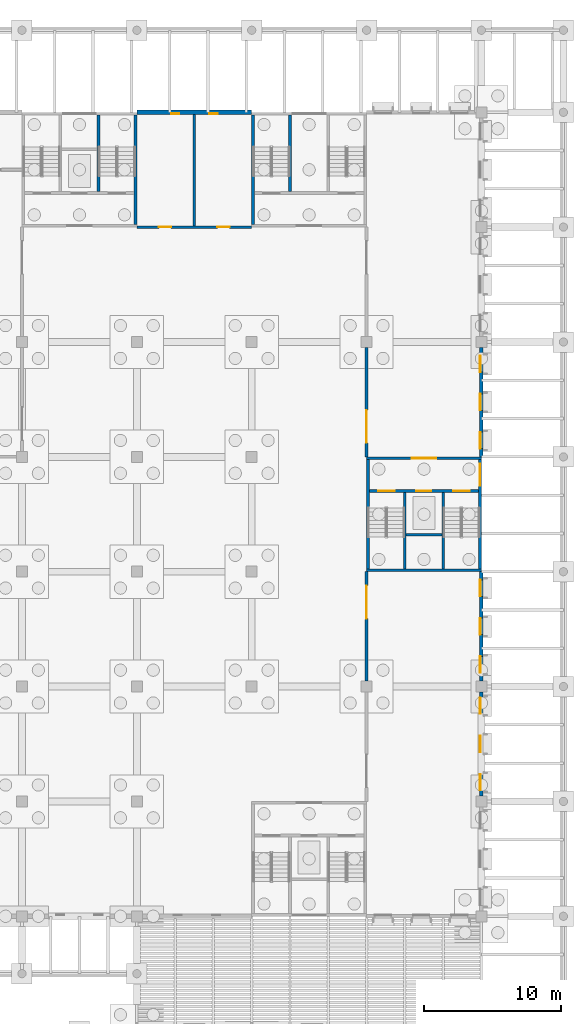
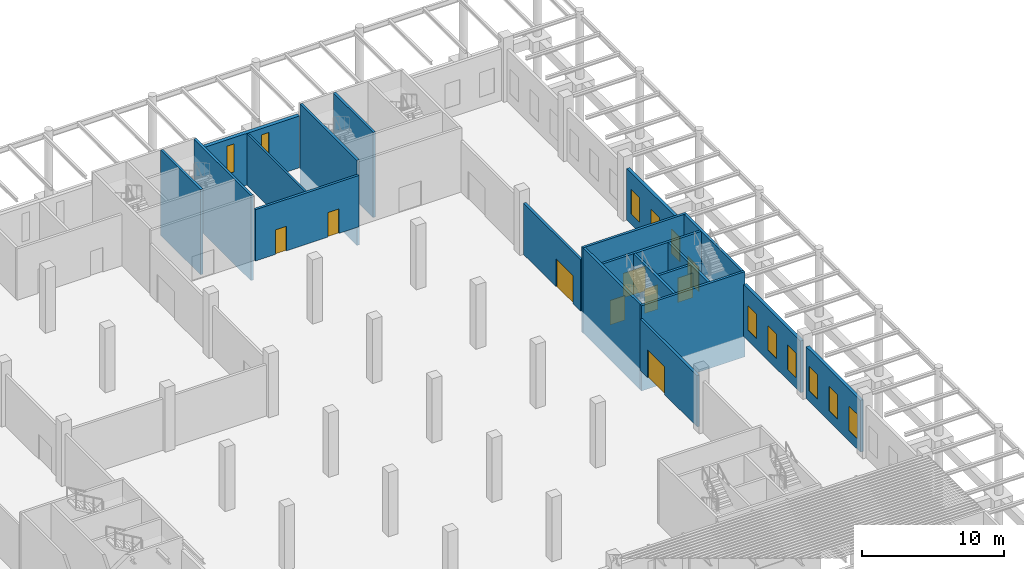
# One storey, part 42 of 82: 20 walls, 11 windows, 9 doors, 20 openings.
"""IFC4 building model written with IfcOpenShell, lengths in metres."""

import ifcopenshell
import ifcopenshell.guid

model = None  # the IFC model being written
_history = None  # IfcOwnerHistory: only IFC2X3 demands one
_inside = {}  # id of a spatial element -> (the spatial element, [elements in it])
_under = {}  # id of a project, library or spatial element -> (it, [spatial elements below it])
_declared = {}  # id of a project -> (the project, [libraries it declares])
_typed = {}  # id of a type object -> (the type object, [elements of that type])
_made_of = {}  # id of a material, layer set ... -> (it, [elements and type objects made of it])


def new_model(schema):
    """Start an empty IFC model of exactly this schema.

    Asked for "IFC4X3", IfcOpenShell would pick the latest addendum, in which some entities
    have other attributes; the version numbers below select the first issue.
    IFC2X3 requires an IfcOwnerHistory on every rooted entity: one is made here for all.
    """
    global model, _history
    if schema == "IFC4X3":
        model = ifcopenshell.file(schema_version=(4, 3, 0, 0))
    else:
        model = ifcopenshell.file(schema=schema)
    _inside.clear()
    _under.clear()
    _declared.clear()
    _typed.clear()
    _made_of.clear()
    _history = None
    if model.schema == "IFC2X3":
        org = make("IfcOrganization", Name="unknown")
        user = make(
            "IfcPersonAndOrganization",
            ThePerson=make("IfcPerson", FamilyName="unknown"),
            TheOrganization=org,
        )
        app = make(
            "IfcApplication",
            ApplicationDeveloper=org,
            Version="unknown",
            ApplicationFullName="unknown",
            ApplicationIdentifier="unknown",
        )
        _history = make(
            "IfcOwnerHistory",
            OwningUser=user,
            OwningApplication=app,
            ChangeAction="ADDED",
            CreationDate=0,
        )
    return model


def make(cls, **values):
    """One entity of the class cls with the attributes given. An attribute that is None is left unset."""
    return model.create_entity(
        cls, **{name: value for name, value in values.items() if value is not None}
    )


def rooted(cls, **values):
    """An entity with a GlobalId (a new one), such as an element, a storey or a relation."""
    return make(cls, GlobalId=ifcopenshell.guid.new(), OwnerHistory=_history, **values)


def si_unit(unit_type, name, prefix=None):
    """IfcSIUnit, for example si_unit("LENGTHUNIT", "METRE", prefix="MILLI")."""
    return make("IfcSIUnit", UnitType=unit_type, Prefix=prefix, Name=name)


def assignment(units):
    """IfcUnitAssignment: the units of a project."""
    return None if units is None else make("IfcUnitAssignment", Units=units)


def point(xyz):
    """IfcCartesianPoint."""
    return None if xyz is None else make("IfcCartesianPoint", Coordinates=xyz)


def direction(xyz):
    """IfcDirection."""
    return None if xyz is None else make("IfcDirection", DirectionRatios=xyz)


def frame(location, z_axis=None, x_axis=None):
    """IfcAxis2Placement3D, a coordinate frame: its origin and axes. An axis left out is left unset."""
    return make(
        "IfcAxis2Placement3D",
        Location=point(location),
        Axis=direction(z_axis),
        RefDirection=direction(x_axis),
    )


def frame_2d(location, x_axis=None):
    """IfcAxis2Placement2D, a coordinate frame in the plane: its origin and x axis."""
    return make(
        "IfcAxis2Placement2D", Location=point(location), RefDirection=direction(x_axis)
    )


def origin():
    """The frame at (0, 0, 0) with its axes left unset."""
    return frame((0.0, 0.0, 0.0))


def place(relative_to, where):
    """IfcLocalPlacement: puts the frame where relative to a parent placement (None: the world)."""
    return make(
        "IfcLocalPlacement", PlacementRelTo=relative_to, RelativePlacement=where
    )


def context(
    kind, dimensions, precision=None, world=None, true_north=None, identifier=None
):
    """IfcGeometricRepresentationContext, for example the 3D "Model" context."""
    return make(
        "IfcGeometricRepresentationContext",
        ContextIdentifier=identifier,
        ContextType=kind,
        CoordinateSpaceDimension=dimensions,
        Precision=precision,
        WorldCoordinateSystem=world,
        TrueNorth=true_north,
    )


def subcontext(parent, identifier, kind, view, scale=None):
    """IfcGeometricRepresentationSubContext, for example "Body" below "Model"."""
    return make(
        "IfcGeometricRepresentationSubContext",
        ContextIdentifier=identifier,
        ContextType=kind,
        ParentContext=parent,
        TargetScale=scale,
        TargetView=view,
    )


def project(units=None, contexts=None):
    """IfcProject with its units and contexts."""
    return rooted(
        "IfcProject",
        Name="project",
        RepresentationContexts=contexts,
        UnitsInContext=assignment(units),
    )


def spatial(cls, under=None, at=None, **own):
    """A site, building, storey or space (cls), placed at a placement, below another one or the project."""
    s = rooted(cls, ObjectPlacement=at, **own)
    if under is not None:
        _under.setdefault(under.id(), (under, []))[1].append(s)
    return s


def profile(cls, at=None, kind="AREA", **sizes):
    """A parametric profile (cls). Its sizes go by their IFC names, for example OverallWidth=200.0."""
    return make(cls, ProfileType=kind, Position=at, **sizes)


def rectangle(**sizes):
    """IfcRectangleProfileDef."""
    return profile("IfcRectangleProfileDef", **sizes)


def extrude(swept, where, along, depth):
    """IfcExtrudedAreaSolid: the profile swept, set in the frame where, extruded along a direction by depth."""
    return make(
        "IfcExtrudedAreaSolid",
        SweptArea=swept,
        Position=where,
        ExtrudedDirection=direction(along),
        Depth=depth,
    )


def shape(context_of_items, identifier, shape_type, items):
    """IfcShapeRepresentation: the items that make up one representation, for example the "Body"."""
    return make(
        "IfcShapeRepresentation",
        ContextOfItems=context_of_items,
        RepresentationIdentifier=identifier,
        RepresentationType=shape_type,
        Items=items,
    )


def material(Name=None, Category=None):
    """IfcMaterial."""
    return make("IfcMaterial", Name=Name, Category=Category)


def layer(
    of_material, thickness, ventilated=None, Name=None, Category=None, Priority=None
):
    """IfcMaterialLayer: one layer of a wall or slab, of a material (None: an air gap)."""
    return make(
        "IfcMaterialLayer",
        Material=of_material,
        LayerThickness=thickness,
        IsVentilated=ventilated,
        Name=Name,
        Category=Category,
        Priority=Priority,
    )


def layer_set(layers, Name=None):
    """IfcMaterialLayerSet."""
    return make("IfcMaterialLayerSet", MaterialLayers=layers, LayerSetName=Name)


def made_of(thing, what):
    """Note that an element or type object is made of a material, layer set ...; save() writes the relation."""
    if what is not None:
        _made_of.setdefault(what.id(), (what, []))[1].append(thing)
    return thing


def type_object(cls, material=None, **own):
    """A type object (cls), such as IfcWallType, which elements share."""
    return made_of(rooted(cls, **own), material)


def element(
    cls,
    number,
    at=None,
    inside=None,
    cuts=None,
    type_object=None,
    material=None,
    context=None,
    identifier="Body",
    shape_type=None,
    held_by="IfcProductDefinitionShape",
    body=None,
    shapes=None,
    **own,
):
    """One element of the class cls, such as IfcWall. Its Tag is "e" and its number.

    at: its placement. inside: the storey or other place that contains it. cuts: it is an
    opening in that element (IfcRelVoidsElement). A single representation is given by context,
    identifier, shape_type and body (its items); several are given by shapes. held_by: the class
    of the entity that holds the representations. save() writes the other relations.
    """
    e = rooted(cls, Tag="e%d" % number, ObjectPlacement=at, **own)
    if body is not None:
        shapes = [shape(context, identifier, shape_type, body)]
    if shapes is not None:
        e.Representation = make(held_by, Representations=shapes)
    if inside is not None:
        _inside.setdefault(inside.id(), (inside, []))[1].append(e)
    if cuts is not None:
        rooted(
            "IfcRelVoidsElement", RelatingBuildingElement=cuts, RelatedOpeningElement=e
        )
    if type_object is not None:
        _typed.setdefault(type_object.id(), (type_object, []))[1].append(e)
    return made_of(e, material)


def fill(opening, filler):
    """IfcRelFillsElement: the door or window that sits in an opening."""
    return rooted(
        "IfcRelFillsElement",
        RelatingOpeningElement=opening,
        RelatedBuildingElement=filler,
    )


def aggregate(whole, parts):
    """IfcRelAggregates: a whole, such as a stair, and the parts it consists of."""
    return rooted("IfcRelAggregates", RelatingObject=whole, RelatedObjects=parts)


def save(model, path):
    """Write the relations noted so far, then the file.

    IfcRelAggregates (storeys below a building ...), IfcRelContainedInSpatialStructure (elements
    in a storey), IfcRelDefinesByType, IfcRelAssociatesMaterial and IfcRelDeclares: one each for
    every whole, place, type object, material and project.
    """
    for whole, parts in _under.values():
        aggregate(whole, parts)
    for where, things in _inside.values():
        rooted(
            "IfcRelContainedInSpatialStructure",
            RelatedElements=things,
            RelatingStructure=where,
        )
    for kind, things in _typed.values():
        rooted("IfcRelDefinesByType", RelatedObjects=things, RelatingType=kind)
    for what, things in _made_of.values():
        rooted("IfcRelAssociatesMaterial", RelatedObjects=things, RelatingMaterial=what)
    for by, libraries in _declared.values():
        rooted("IfcRelDeclares", RelatingContext=by, RelatedDefinitions=libraries)
    model.write(path)


model = new_model("IFC4")

# Units and contexts
model_context = context("Model", 3, precision=1e-05, world=origin(), true_north=direction((0.0, 1.0)))
body_context = subcontext(model_context, "Body", "Model", "MODEL_VIEW")
ifc_project = project(units=[si_unit("LENGTHUNIT", "METRE"), si_unit("AREAUNIT", "SQUARE_METRE"), si_unit("VOLUMEUNIT", "CUBIC_METRE"), si_unit("PLANEANGLEUNIT", "RADIAN"), si_unit("MASSUNIT", "GRAM", prefix="KILO")], contexts=[model_context])

# Site, building, storey
site_placement = place(None, origin())
site = spatial("IfcSite", under=ifc_project, at=site_placement, CompositionType="ELEMENT")
building_placement = place(site_placement, origin())
building = spatial("IfcBuilding", under=site, at=building_placement, Name="Almond Square Museum", CompositionType="ELEMENT")
storey_placement = place(building_placement, origin())
storey = spatial("IfcBuildingStorey", under=building, at=storey_placement, Name="L00", CompositionType="ELEMENT", Elevation=0.0)

# Wall, openings, windows
ifc_material_1 = material(Name="Concrete C30/37", Category="concrete")
ifc_layer_1 = layer(ifc_material_1, 0.300048828125)
ifc_layer_set_1 = layer_set([ifc_layer_1], Name="Concrete C30/37")
wall_type_1 = type_object("IfcWallType", Name="Cast concrete wall 300 C30/37 behind louvre skin", PredefinedType="SOLIDWALL", material=ifc_layer_set_1)
wall_1_placement = place(storey_placement, frame((132.0, 109.199951171875, 0.0), z_axis=(0.0, 0.0, 1.0), x_axis=(1.0, 0.0, 0.0)))
wall_1 = element("IfcWall", 1, at=wall_1_placement, inside=storey, type_object=wall_type_1, Name="External wall W1 V1 L00 N01", PredefinedType="SOLIDWALL", context=body_context, shape_type="SweptSolid", body=[
    extrude(rectangle(XDim=8.39990234375, YDim=0.300048828125, at=frame_2d((4.199951171875, 0.0))), origin(), (0.0, 0.0, 1.0), 4.43994140625),
])
opening_1_placement = place(wall_1_placement, frame((2.5, 0.0, 1.5)))
opening_1 = element("IfcOpeningElement", 2, at=opening_1_placement, cuts=wall_1, Name="Opening W0091", PredefinedType="OPENING", context=body_context, shape_type="SweptSolid", body=[
    extrude(rectangle(XDim=0.60009765625, YDim=2.39990234375, at=frame_2d((0.300048828125, 1.199951171875))), frame((0.0, 0.159912109375, 0.0), z_axis=(0.0, -1.0, 0.0), x_axis=(1.0, 0.0, 0.0)), (0.0, 0.0, 1.0), 0.320068359375),
])
opening_2_placement = place(wall_1_placement, frame((5.300048828125, 0.0, 1.5)))
opening_2 = element("IfcOpeningElement", 3, at=opening_2_placement, cuts=wall_1, Name="Opening W0092", PredefinedType="OPENING", context=body_context, shape_type="SweptSolid", body=[
    extrude(rectangle(XDim=0.60009765625, YDim=2.39990234375, at=frame_2d((0.300048828125, 1.199951171875))), frame((0.0, 0.159912109375, 0.0), z_axis=(0.0, -1.0, 0.0), x_axis=(1.0, 0.0, 0.0)), (0.0, 0.0, 1.0), 0.320068359375),
])
ifc_material_2 = material(Name="Anodised aluminium louvre and laminated glass", Category="aluminium")
window_type_1 = type_object("IfcWindowType", Name="Slot window with storm louvre", PartitioningType="SINGLE_PANEL", PredefinedType="WINDOW", material=ifc_material_2)
window_1_placement = place(opening_1_placement, origin())
window_1 = element("IfcWindow", 4, at=window_1_placement, inside=storey, type_object=window_type_1, Name="Slot window with storm louvre W0091", OverallHeight=2.39990234375, OverallWidth=0.60009765625, PartitioningType="SINGLE_PANEL", PredefinedType="WINDOW", context=body_context, shape_type="SweptSolid", body=[
    extrude(rectangle(XDim=0.60009765625, YDim=2.39990234375, at=frame_2d((0.300048828125, 1.199951171875))), frame((0.0, -0.070068359375, 0.0), z_axis=(0.0, -1.0, 0.0), x_axis=(1.0, 0.0, 0.0)), (0.0, 0.0, 1.0), 0.06005859375),
])
fill(opening_1, window_1)
window_2_placement = place(opening_2_placement, origin())
window_2 = element("IfcWindow", 5, at=window_2_placement, inside=storey, type_object=window_type_1, Name="Slot window with storm louvre W0092", OverallHeight=2.39990234375, OverallWidth=0.60009765625, PartitioningType="SINGLE_PANEL", PredefinedType="WINDOW", context=body_context, shape_type="SweptSolid", body=[
    extrude(rectangle(XDim=0.60009765625, YDim=2.39990234375, at=frame_2d((0.300048828125, 1.199951171875))), frame((0.0, -0.070068359375, 0.0), z_axis=(0.0, -1.0, 0.0), x_axis=(1.0, 0.0, 0.0)), (0.0, 0.0, 1.0), 0.06005859375),
])
fill(opening_2, window_2)

# Wall, openings, doors
ifc_material_3 = material(Name="Painted gypsum board on steel stud", Category="steel")
ifc_layer_2 = layer(ifc_material_3, 0.199951171875)
ifc_layer_set_2 = layer_set([ifc_layer_2], Name="Painted gypsum board on steel stud")
wall_type_2 = type_object("IfcWallType", Name="Gallery wall 200 painted board on stud", PredefinedType="PARTITIONING", material=ifc_layer_set_2)
wall_2_placement = place(storey_placement, frame((132.0, 100.800048828125, 0.0), z_axis=(0.0, 0.0, 1.0), x_axis=(1.0, 0.0, 0.0)))
wall_2 = element("IfcWall", 6, at=wall_2_placement, inside=storey, type_object=wall_type_2, Name="L00 partition 13", PredefinedType="PARTITIONING", context=body_context, shape_type="SweptSolid", body=[
    extrude(rectangle(XDim=8.39990234375, YDim=0.199951171875, at=frame_2d((4.199951171875, 0.0))), origin(), (0.0, 0.0, 1.0), 4.39990234375),
])
opening_3_placement = place(wall_2_placement, frame((1.612548828125, 0.0, 0.0)))
opening_3 = element("IfcOpeningElement", 7, at=opening_3_placement, cuts=wall_2, Name="Opening D0105", PredefinedType="OPENING", context=body_context, shape_type="SweptSolid", body=[
    extrude(rectangle(XDim=0.89990234375, YDim=2.10009765625, at=frame_2d((0.449951171875, 1.050048828125))), frame((0.0, 0.10986328125, 0.0), z_axis=(0.0, -1.0, 0.0), x_axis=(1.0, 0.0, 0.0)), (0.0, 0.0, 1.0), 0.219970703125),
])
opening_4_placement = place(wall_2_placement, frame((5.887451171875, 0.0, 0.0)))
opening_4 = element("IfcOpeningElement", 8, at=opening_4_placement, cuts=wall_2, Name="Opening D0106", PredefinedType="OPENING", context=body_context, shape_type="SweptSolid", body=[
    extrude(rectangle(XDim=0.89990234375, YDim=2.10009765625, at=frame_2d((0.449951171875, 1.050048828125))), frame((0.0, 0.10986328125, 0.0), z_axis=(0.0, -1.0, 0.0), x_axis=(1.0, 0.0, 0.0)), (0.0, 0.0, 1.0), 0.219970703125),
])
ifc_material_4 = material(Name="Timber", Category="wood")
door_type_1 = type_object("IfcDoorType", Name="Door 900 x 2100 timber single", OperationType="NOTDEFINED", PredefinedType="DOOR", material=ifc_material_4)
door_1_placement = place(opening_3_placement, origin())
door_1 = element("IfcDoor", 9, at=door_1_placement, inside=storey, type_object=door_type_1, Name="L00 door Women's WC 1 to Orientation Gallery", OperationType="SINGLE_SWING_RIGHT", OverallHeight=2.10009765625, OverallWidth=0.89990234375, PredefinedType="DOOR", context=body_context, shape_type="SweptSolid", body=[
    extrude(rectangle(XDim=0.89990234375, YDim=2.10009765625, at=frame_2d((0.449951171875, 1.050048828125))), frame((0.0, 0.02490234375, 0.0), z_axis=(0.0, -1.0, 0.0), x_axis=(1.0, 0.0, 0.0)), (0.0, 0.0, 1.0), 0.050048828125),
])
fill(opening_3, door_1)
door_2_placement = place(opening_4_placement, origin())
door_2 = element("IfcDoor", 10, at=door_2_placement, inside=storey, type_object=door_type_1, Name="L00 door Men's WC 1 to Orientation Gallery", OperationType="SINGLE_SWING_LEFT", OverallHeight=2.10009765625, OverallWidth=0.89990234375, PredefinedType="DOOR", context=body_context, shape_type="SweptSolid", body=[
    extrude(rectangle(XDim=0.89990234375, YDim=2.10009765625, at=frame_2d((0.449951171875, 1.050048828125))), frame((0.0, 0.02490234375, 0.0), z_axis=(0.0, -1.0, 0.0), x_axis=(1.0, 0.0, 0.0)), (0.0, 0.0, 1.0), 0.050048828125),
])
fill(opening_4, door_2)

# Wall, opening, door
wall_3_placement = place(storey_placement, frame((148.800048828125, 84.0, 0.0), z_axis=(0.0, 0.0, 1.0), x_axis=(0.0, 1.0, 0.0)))
wall_3 = element("IfcWall", 11, at=wall_3_placement, inside=storey, type_object=wall_type_2, Name="L00 partition 25", PredefinedType="PARTITIONING", context=body_context, shape_type="SweptSolid", body=[
    extrude(rectangle(XDim=8.0, YDim=0.199951171875, at=frame_2d((4.0, 0.0))), origin(), (0.0, 0.0, 1.0), 4.39990234375),
])
opening_5_placement = place(wall_3_placement, frame((1.02490234375, 0.0, 0.0)))
opening_5 = element("IfcOpeningElement", 12, at=opening_5_placement, cuts=wall_3, Name="Opening D0145", PredefinedType="OPENING", context=body_context, shape_type="SweptSolid", body=[
    extrude(rectangle(XDim=2.39990234375, YDim=2.39990234375, at=frame_2d((1.199951171875, 1.199951171875))), frame((0.0, 0.10986328125, 0.0), z_axis=(0.0, -1.0, 0.0), x_axis=(1.0, 0.0, 0.0)), (0.0, 0.0, 1.0), 0.219970703125),
])
ifc_material_5 = material(Name="Timber", Category="wood")
door_type_2 = type_object("IfcDoorType", Name="Gallery door 2400 x 2400 timber double", OperationType="NOTDEFINED", PredefinedType="DOOR", material=ifc_material_5)
door_3_placement = place(opening_5_placement, origin())
door_3 = element("IfcDoor", 13, at=door_3_placement, inside=storey, type_object=door_type_2, Name="L00 door Print Gallery 1 to Orientation Gallery", OperationType="DOUBLE_DOOR_SINGLE_SWING", OverallHeight=2.39990234375, OverallWidth=2.39990234375, PredefinedType="DOOR", context=body_context, shape_type="SweptSolid", body=[
    extrude(rectangle(XDim=2.39990234375, YDim=2.39990234375, at=frame_2d((1.199951171875, 1.199951171875))), frame((0.0, 0.02490234375, 0.0), z_axis=(0.0, -1.0, 0.0), x_axis=(1.0, 0.0, 0.0)), (0.0, 0.0, 1.0), 0.050048828125),
])
fill(opening_5, door_3)

wall_4_placement = place(storey_placement, frame((148.800048828125, 67.60009765625, 0.0), z_axis=(0.0, 0.0, 1.0), x_axis=(0.0, 1.0, 0.0)))
wall_4 = element("IfcWall", 14, at=wall_4_placement, inside=storey, type_object=wall_type_2, Name="L00 partition 37", PredefinedType="PARTITIONING", context=body_context, shape_type="SweptSolid", body=[
    extrude(rectangle(XDim=8.0, YDim=0.199951171875, at=frame_2d((4.0, 0.0))), origin(), (0.0, 0.0, 1.0), 4.39990234375),
])
opening_6_placement = place(wall_4_placement, frame((4.574951171875, 0.0, 0.0)))
opening_6 = element("IfcOpeningElement", 15, at=opening_6_placement, cuts=wall_4, Name="Opening D0152", PredefinedType="OPENING", context=body_context, shape_type="SweptSolid", body=[
    extrude(rectangle(XDim=2.39990234375, YDim=2.39990234375, at=frame_2d((1.199951171875, 1.199951171875))), frame((0.0, 0.10986328125, 0.0), z_axis=(0.0, -1.0, 0.0), x_axis=(1.0, 0.0, 0.0)), (0.0, 0.0, 1.0), 0.219970703125),
])
door_4_placement = place(opening_6_placement, origin())
door_4 = element("IfcDoor", 16, at=door_4_placement, inside=storey, type_object=door_type_2, Name="L00 door Orientation Gallery to Print Gallery 2", OperationType="DOUBLE_DOOR_SINGLE_SWING", OverallHeight=2.39990234375, OverallWidth=2.39990234375, PredefinedType="DOOR", context=body_context, shape_type="SweptSolid", body=[
    extrude(rectangle(XDim=2.39990234375, YDim=2.39990234375, at=frame_2d((1.199951171875, 1.199951171875))), frame((0.0, 0.02490234375, 0.0), z_axis=(0.0, -1.0, 0.0), x_axis=(1.0, 0.0, 0.0)), (0.0, 0.0, 1.0), 0.050048828125),
])
fill(opening_6, door_4)

# Wall
ifc_material_6 = material(Name="Plasterboard on steel stud", Category="steel")
ifc_layer_3 = layer(ifc_material_6, 0.14990234375)
ifc_layer_set_3 = layer_set([ifc_layer_3], Name="Plasterboard on steel stud")
wall_type_3 = type_object("IfcWallType", Name="Partition 150 plasterboard on steel stud", PredefinedType="PARTITIONING", material=ifc_layer_set_3)
wall_5_placement = place(storey_placement, frame((136.199951171875, 100.89990234375, 0.0), z_axis=(0.0, 0.0, 1.0), x_axis=(0.0, 1.0, 0.0)))
element("IfcWall", 17, at=wall_5_placement, inside=storey, type_object=wall_type_3, Name="L00 partition 12", PredefinedType="PARTITIONING", context=body_context, shape_type="SweptSolid", body=[
    extrude(rectangle(XDim=8.150146484375, YDim=0.14990234375, at=frame_2d((4.0751953125, 0.0))), origin(), (0.0, 0.0, 1.0), 4.39990234375),
])

# Wall, openings, windows
ifc_material_7 = material(Name="Precast concrete C40/50", Category="concrete")
ifc_layer_4 = layer(ifc_material_7, 0.25)
ifc_layer_set_4 = layer_set([ifc_layer_4], Name="Precast concrete C40/50")
wall_type_4 = type_object("IfcWallType", Name="Precast concrete panel wall 250 with coral limestone piers", PredefinedType="SOLIDWALL", material=ifc_layer_set_4)
wall_6_placement = place(storey_placement, frame((157.199951171875, 59.199951171875, 0.0), z_axis=(0.0, 0.0, 1.0), x_axis=(0.0, 1.0, 0.0)))
wall_6 = element("IfcWall", 18, at=wall_6_placement, inside=storey, type_object=wall_type_4, Name="External wall W2 V4E L00 E02", PredefinedType="SOLIDWALL", context=body_context, shape_type="SweptSolid", body=[
    extrude(rectangle(XDim=7.60009765625, YDim=0.25, at=frame_2d((3.800048828125, 0.0))), origin(), (0.0, 0.0, 1.0), 4.43994140625),
])
opening_7_placement = place(wall_6_placement, frame((0.39990234375, 0.0, 0.89990234375)))
opening_7 = element("IfcOpeningElement", 19, at=opening_7_placement, cuts=wall_6, Name="Opening W0073", PredefinedType="OPENING", context=body_context, shape_type="SweptSolid", body=[
    extrude(rectangle(XDim=1.199951171875, YDim=2.10009765625, at=frame_2d((0.60009765625, 1.050048828125))), frame((0.0, 0.135009765625, 0.0), z_axis=(0.0, -1.0, 0.0), x_axis=(1.0, 0.0, 0.0)), (0.0, 0.0, 1.0), 0.27001953125),
])
opening_8_placement = place(wall_6_placement, frame((3.199951171875, 0.0, 0.89990234375)))
opening_8 = element("IfcOpeningElement", 20, at=opening_8_placement, cuts=wall_6, Name="Opening W0074", PredefinedType="OPENING", context=body_context, shape_type="SweptSolid", body=[
    extrude(rectangle(XDim=1.199951171875, YDim=2.10009765625, at=frame_2d((0.60009765625, 1.050048828125))), frame((0.0, 0.135009765625, 0.0), z_axis=(0.0, -1.0, 0.0), x_axis=(1.0, 0.0, 0.0)), (0.0, 0.0, 1.0), 0.27001953125),
])
opening_9_placement = place(wall_6_placement, frame((6.0, 0.0, 0.89990234375)))
opening_9 = element("IfcOpeningElement", 21, at=opening_9_placement, cuts=wall_6, Name="Opening W0075", PredefinedType="OPENING", context=body_context, shape_type="SweptSolid", body=[
    extrude(rectangle(XDim=1.199951171875, YDim=2.10009765625, at=frame_2d((0.60009765625, 1.050048828125))), frame((0.0, 0.135009765625, 0.0), z_axis=(0.0, -1.0, 0.0), x_axis=(1.0, 0.0, 0.0)), (0.0, 0.0, 1.0), 0.27001953125),
])
ifc_material_8 = material(Name="Anodised aluminium louvre and laminated glass", Category="aluminium")
window_type_2 = type_object("IfcWindowType", Name="Louvred pier window", PartitioningType="SINGLE_PANEL", PredefinedType="WINDOW", material=ifc_material_8)
window_3_placement = place(opening_7_placement, origin())
window_3 = element("IfcWindow", 22, at=window_3_placement, inside=storey, type_object=window_type_2, Name="Louvred pier window W0073", OverallHeight=2.10009765625, OverallWidth=1.199951171875, PartitioningType="SINGLE_PANEL", PredefinedType="WINDOW", context=body_context, shape_type="SweptSolid", body=[
    extrude(rectangle(XDim=1.199951171875, YDim=2.10009765625, at=frame_2d((0.60009765625, 1.050048828125))), frame((0.0, 0.10498046875, 0.0), z_axis=(0.0, -1.0, 0.0), x_axis=(1.0, 0.0, 0.0)), (0.0, 0.0, 1.0), 0.06005859375),
])
fill(opening_7, window_3)
window_4_placement = place(opening_8_placement, origin())
window_4 = element("IfcWindow", 23, at=window_4_placement, inside=storey, type_object=window_type_2, Name="Louvred pier window W0074", OverallHeight=2.10009765625, OverallWidth=1.199951171875, PartitioningType="SINGLE_PANEL", PredefinedType="WINDOW", context=body_context, shape_type="SweptSolid", body=[
    extrude(rectangle(XDim=1.199951171875, YDim=2.10009765625, at=frame_2d((0.60009765625, 1.050048828125))), frame((0.0, 0.10498046875, 0.0), z_axis=(0.0, -1.0, 0.0), x_axis=(1.0, 0.0, 0.0)), (0.0, 0.0, 1.0), 0.06005859375),
])
fill(opening_8, window_4)
window_5_placement = place(opening_9_placement, origin())
window_5 = element("IfcWindow", 24, at=window_5_placement, inside=storey, type_object=window_type_2, Name="Louvred pier window W0075", OverallHeight=2.10009765625, OverallWidth=1.199951171875, PartitioningType="SINGLE_PANEL", PredefinedType="WINDOW", context=body_context, shape_type="SweptSolid", body=[
    extrude(rectangle(XDim=1.199951171875, YDim=2.10009765625, at=frame_2d((0.60009765625, 1.050048828125))), frame((0.0, 0.10498046875, 0.0), z_axis=(0.0, -1.0, 0.0), x_axis=(1.0, 0.0, 0.0)), (0.0, 0.0, 1.0), 0.06005859375),
])
fill(opening_9, window_5)

wall_7_placement = place(storey_placement, frame((157.199951171875, 67.60009765625, 0.0), z_axis=(0.0, 0.0, 1.0), x_axis=(0.0, 1.0, 0.0)))
wall_7 = element("IfcWall", 25, at=wall_7_placement, inside=storey, type_object=wall_type_4, Name="External wall W2 V4E L00 E03", PredefinedType="SOLIDWALL", context=body_context, shape_type="SweptSolid", body=[
    extrude(rectangle(XDim=8.0, YDim=0.25, at=frame_2d((4.0, 0.0))), origin(), (0.0, 0.0, 1.0), 4.43994140625),
])
opening_10_placement = place(wall_7_placement, frame((0.60009765625, 0.0, 0.89990234375)))
opening_10 = element("IfcOpeningElement", 26, at=opening_10_placement, cuts=wall_7, Name="Opening W0076", PredefinedType="OPENING", context=body_context, shape_type="SweptSolid", body=[
    extrude(rectangle(XDim=1.199951171875, YDim=2.10009765625, at=frame_2d((0.60009765625, 1.050048828125))), frame((0.0, 0.135009765625, 0.0), z_axis=(0.0, -1.0, 0.0), x_axis=(1.0, 0.0, 0.0)), (0.0, 0.0, 1.0), 0.27001953125),
])
opening_11_placement = place(wall_7_placement, frame((3.39990234375, 0.0, 0.89990234375)))
opening_11 = element("IfcOpeningElement", 27, at=opening_11_placement, cuts=wall_7, Name="Opening W0077", PredefinedType="OPENING", context=body_context, shape_type="SweptSolid", body=[
    extrude(rectangle(XDim=1.199951171875, YDim=2.10009765625, at=frame_2d((0.60009765625, 1.050048828125))), frame((0.0, 0.135009765625, 0.0), z_axis=(0.0, -1.0, 0.0), x_axis=(1.0, 0.0, 0.0)), (0.0, 0.0, 1.0), 0.27001953125),
])
opening_12_placement = place(wall_7_placement, frame((6.199951171875, 0.0, 0.89990234375)))
opening_12 = element("IfcOpeningElement", 28, at=opening_12_placement, cuts=wall_7, Name="Opening W0078", PredefinedType="OPENING", context=body_context, shape_type="SweptSolid", body=[
    extrude(rectangle(XDim=1.199951171875, YDim=2.10009765625, at=frame_2d((0.60009765625, 1.050048828125))), frame((0.0, 0.135009765625, 0.0), z_axis=(0.0, -1.0, 0.0), x_axis=(1.0, 0.0, 0.0)), (0.0, 0.0, 1.0), 0.27001953125),
])
window_6_placement = place(opening_10_placement, origin())
window_6 = element("IfcWindow", 29, at=window_6_placement, inside=storey, type_object=window_type_2, Name="Louvred pier window W0076", OverallHeight=2.10009765625, OverallWidth=1.199951171875, PartitioningType="SINGLE_PANEL", PredefinedType="WINDOW", context=body_context, shape_type="SweptSolid", body=[
    extrude(rectangle(XDim=1.199951171875, YDim=2.10009765625, at=frame_2d((0.60009765625, 1.050048828125))), frame((0.0, 0.10498046875, 0.0), z_axis=(0.0, -1.0, 0.0), x_axis=(1.0, 0.0, 0.0)), (0.0, 0.0, 1.0), 0.06005859375),
])
fill(opening_10, window_6)
window_7_placement = place(opening_11_placement, origin())
window_7 = element("IfcWindow", 30, at=window_7_placement, inside=storey, type_object=window_type_2, Name="Louvred pier window W0077", OverallHeight=2.10009765625, OverallWidth=1.199951171875, PartitioningType="SINGLE_PANEL", PredefinedType="WINDOW", context=body_context, shape_type="SweptSolid", body=[
    extrude(rectangle(XDim=1.199951171875, YDim=2.10009765625, at=frame_2d((0.60009765625, 1.050048828125))), frame((0.0, 0.10498046875, 0.0), z_axis=(0.0, -1.0, 0.0), x_axis=(1.0, 0.0, 0.0)), (0.0, 0.0, 1.0), 0.06005859375),
])
fill(opening_11, window_7)
window_8_placement = place(opening_12_placement, origin())
window_8 = element("IfcWindow", 31, at=window_8_placement, inside=storey, type_object=window_type_2, Name="Louvred pier window W0078", OverallHeight=2.10009765625, OverallWidth=1.199951171875, PartitioningType="SINGLE_PANEL", PredefinedType="WINDOW", context=body_context, shape_type="SweptSolid", body=[
    extrude(rectangle(XDim=1.199951171875, YDim=2.10009765625, at=frame_2d((0.60009765625, 1.050048828125))), frame((0.0, 0.10498046875, 0.0), z_axis=(0.0, -1.0, 0.0), x_axis=(1.0, 0.0, 0.0)), (0.0, 0.0, 1.0), 0.06005859375),
])
fill(opening_12, window_8)

wall_8_placement = place(storey_placement, frame((157.199951171875, 84.0, 0.0), z_axis=(0.0, 0.0, 1.0), x_axis=(0.0, 1.0, 0.0)))
wall_8 = element("IfcWall", 32, at=wall_8_placement, inside=storey, type_object=wall_type_4, Name="External wall W2 V4E L00 E04", PredefinedType="SOLIDWALL", context=body_context, shape_type="SweptSolid", body=[
    extrude(rectangle(XDim=8.0, YDim=0.25, at=frame_2d((4.0, 0.0))), origin(), (0.0, 0.0, 1.0), 4.43994140625),
])
opening_13_placement = place(wall_8_placement, frame((0.60009765625, 0.0, 0.89990234375)))
opening_13 = element("IfcOpeningElement", 33, at=opening_13_placement, cuts=wall_8, Name="Opening W0079", PredefinedType="OPENING", context=body_context, shape_type="SweptSolid", body=[
    extrude(rectangle(XDim=1.199951171875, YDim=2.10009765625, at=frame_2d((0.60009765625, 1.050048828125))), frame((0.0, 0.135009765625, 0.0), z_axis=(0.0, -1.0, 0.0), x_axis=(1.0, 0.0, 0.0)), (0.0, 0.0, 1.0), 0.27001953125),
])
opening_14_placement = place(wall_8_placement, frame((3.39990234375, 0.0, 0.89990234375)))
opening_14 = element("IfcOpeningElement", 34, at=opening_14_placement, cuts=wall_8, Name="Opening W0080", PredefinedType="OPENING", context=body_context, shape_type="SweptSolid", body=[
    extrude(rectangle(XDim=1.199951171875, YDim=2.10009765625, at=frame_2d((0.60009765625, 1.050048828125))), frame((0.0, 0.135009765625, 0.0), z_axis=(0.0, -1.0, 0.0), x_axis=(1.0, 0.0, 0.0)), (0.0, 0.0, 1.0), 0.27001953125),
])
opening_15_placement = place(wall_8_placement, frame((6.199951171875, 0.0, 0.89990234375)))
opening_15 = element("IfcOpeningElement", 35, at=opening_15_placement, cuts=wall_8, Name="Opening W0081", PredefinedType="OPENING", context=body_context, shape_type="SweptSolid", body=[
    extrude(rectangle(XDim=1.199951171875, YDim=2.10009765625, at=frame_2d((0.60009765625, 1.050048828125))), frame((0.0, 0.135009765625, 0.0), z_axis=(0.0, -1.0, 0.0), x_axis=(1.0, 0.0, 0.0)), (0.0, 0.0, 1.0), 0.27001953125),
])
window_9_placement = place(opening_13_placement, origin())
window_9 = element("IfcWindow", 36, at=window_9_placement, inside=storey, type_object=window_type_2, Name="Louvred pier window W0079", OverallHeight=2.10009765625, OverallWidth=1.199951171875, PartitioningType="SINGLE_PANEL", PredefinedType="WINDOW", context=body_context, shape_type="SweptSolid", body=[
    extrude(rectangle(XDim=1.199951171875, YDim=2.10009765625, at=frame_2d((0.60009765625, 1.050048828125))), frame((0.0, 0.10498046875, 0.0), z_axis=(0.0, -1.0, 0.0), x_axis=(1.0, 0.0, 0.0)), (0.0, 0.0, 1.0), 0.06005859375),
])
fill(opening_13, window_9)
window_10_placement = place(opening_14_placement, origin())
window_10 = element("IfcWindow", 37, at=window_10_placement, inside=storey, type_object=window_type_2, Name="Louvred pier window W0080", OverallHeight=2.10009765625, OverallWidth=1.199951171875, PartitioningType="SINGLE_PANEL", PredefinedType="WINDOW", context=body_context, shape_type="SweptSolid", body=[
    extrude(rectangle(XDim=1.199951171875, YDim=2.10009765625, at=frame_2d((0.60009765625, 1.050048828125))), frame((0.0, 0.10498046875, 0.0), z_axis=(0.0, -1.0, 0.0), x_axis=(1.0, 0.0, 0.0)), (0.0, 0.0, 1.0), 0.06005859375),
])
fill(opening_14, window_10)
window_11_placement = place(opening_15_placement, origin())
window_11 = element("IfcWindow", 38, at=window_11_placement, inside=storey, type_object=window_type_2, Name="Louvred pier window W0081", OverallHeight=2.10009765625, OverallWidth=1.199951171875, PartitioningType="SINGLE_PANEL", PredefinedType="WINDOW", context=body_context, shape_type="SweptSolid", body=[
    extrude(rectangle(XDim=1.199951171875, YDim=2.10009765625, at=frame_2d((0.60009765625, 1.050048828125))), frame((0.0, 0.10498046875, 0.0), z_axis=(0.0, -1.0, 0.0), x_axis=(1.0, 0.0, 0.0)), (0.0, 0.0, 1.0), 0.06005859375),
])
fill(opening_15, window_11)

# Walls
ifc_material_9 = material(Name="Concrete C40/50", Category="concrete")
ifc_layer_5 = layer(ifc_material_9, 0.199951171875)
ifc_layer_set_5 = layer_set([ifc_layer_5], Name="Concrete C40/50")
wall_type_5 = type_object("IfcWallType", Name="RC shear wall 200 C40/50", PredefinedType="SHEAR", material=ifc_layer_set_5)
wall_9_placement = place(storey_placement, frame((140.5, 101.0, -1.800048828125), z_axis=(0.0, 0.0, 1.0), x_axis=(0.0, 1.0, 0.0)))
element("IfcWall", 39, at=wall_9_placement, inside=storey, type_object=wall_type_5, Name="Core H3 west wall L00", PredefinedType="SHEAR", context=body_context, shape_type="SweptSolid", body=[
    extrude(rectangle(XDim=8.0, YDim=0.199951171875, at=frame_2d((4.0, 0.0))), origin(), (0.0, 0.0, 1.0), 7.300048828125),
])
wall_10_placement = place(storey_placement, frame((143.199951171875, 103.39990234375, -1.800048828125), z_axis=(0.0, 0.0, 1.0), x_axis=(0.0, 1.0, 0.0)))
element("IfcWall", 40, at=wall_10_placement, inside=storey, type_object=wall_type_5, Name="Core H3 partition wall L00", PredefinedType="SHEAR", context=body_context, shape_type="SweptSolid", body=[
    extrude(rectangle(XDim=5.60009765625, YDim=0.199951171875, at=frame_2d((2.800048828125, 0.0))), origin(), (0.0, 0.0, 1.0), 7.300048828125),
])
wall_11_placement = place(storey_placement, frame((131.89990234375, 101.0, -1.800048828125), z_axis=(0.0, 0.0, 1.0), x_axis=(0.0, 1.0, 0.0)))
element("IfcWall", 41, at=wall_11_placement, inside=storey, type_object=wall_type_5, Name="Core H4 east wall L00", PredefinedType="SHEAR", context=body_context, shape_type="SweptSolid", body=[
    extrude(rectangle(XDim=8.0, YDim=0.199951171875, at=frame_2d((4.0, 0.0))), origin(), (0.0, 0.0, 1.0), 7.300048828125),
])
wall_12_placement = place(storey_placement, frame((129.199951171875, 103.39990234375, -1.800048828125), z_axis=(0.0, 0.0, 1.0), x_axis=(0.0, 1.0, 0.0)))
element("IfcWall", 42, at=wall_12_placement, inside=storey, type_object=wall_type_5, Name="Core H4 partition wall L00", PredefinedType="SHEAR", context=body_context, shape_type="SweptSolid", body=[
    extrude(rectangle(XDim=5.60009765625, YDim=0.199951171875, at=frame_2d((2.800048828125, 0.0))), origin(), (0.0, 0.0, 1.0), 7.300048828125),
])
wall_13_placement = place(storey_placement, frame((148.800048828125, 75.699951171875, -1.800048828125), z_axis=(0.0, 0.0, 1.0), x_axis=(1.0, 0.0, 0.0)))
element("IfcWall", 43, at=wall_13_placement, inside=storey, type_object=wall_type_5, Name="Core E1 south wall L00", PredefinedType="SHEAR", context=body_context, shape_type="SweptSolid", body=[
    extrude(rectangle(XDim=8.39990234375, YDim=0.199951171875, at=frame_2d((4.199951171875, 0.0))), origin(), (0.0, 0.0, 1.0), 7.300048828125),
])

# Wall, opening, door
wall_14_placement = place(storey_placement, frame((148.800048828125, 83.89990234375, -1.800048828125), z_axis=(0.0, 0.0, 1.0), x_axis=(1.0, 0.0, 0.0)))
wall_14 = element("IfcWall", 44, at=wall_14_placement, inside=storey, type_object=wall_type_5, Name="Core E1 north wall L00", PredefinedType="SHEAR", context=body_context, shape_type="SweptSolid", body=[
    extrude(rectangle(XDim=8.39990234375, YDim=0.199951171875, at=frame_2d((4.199951171875, 0.0))), origin(), (0.0, 0.0, 1.0), 7.300048828125),
])
opening_16_placement = place(wall_14_placement, frame((3.300048828125, 0.0, 1.800048828125)))
opening_16 = element("IfcOpeningElement", 45, at=opening_16_placement, cuts=wall_14, Name="Opening D0199", PredefinedType="OPENING", context=body_context, shape_type="SweptSolid", body=[
    extrude(rectangle(XDim=1.800048828125, YDim=2.10009765625, at=frame_2d((0.89990234375, 1.050048828125))), frame((0.0, 0.10986328125, 0.0), z_axis=(0.0, -1.0, 0.0), x_axis=(1.0, 0.0, 0.0)), (0.0, 0.0, 1.0), 0.219970703125),
])
ifc_material_10 = material(Name="Steel", Category="steel")
door_type_3 = type_object("IfcDoorType", Name="Fire door 1800 x 2100 FD60 double", OperationType="NOTDEFINED", PredefinedType="DOOR", material=ifc_material_10)
door_5_placement = place(opening_16_placement, origin())
door_5 = element("IfcDoor", 46, at=door_5_placement, inside=storey, type_object=door_type_3, Name="L00 stair core E1 lobby door", OperationType="DOUBLE_DOOR_SINGLE_SWING", OverallHeight=2.10009765625, OverallWidth=1.800048828125, PredefinedType="DOOR", context=body_context, shape_type="SweptSolid", body=[
    extrude(rectangle(XDim=1.800048828125, YDim=2.10009765625, at=frame_2d((0.89990234375, 1.050048828125))), frame((0.0, 0.02490234375, 0.0), z_axis=(0.0, -1.0, 0.0), x_axis=(1.0, 0.0, 0.0)), (0.0, 0.0, 1.0), 0.050048828125),
])
fill(opening_16, door_5)

# Wall
wall_15_placement = place(storey_placement, frame((148.89990234375, 75.800048828125, -1.800048828125), z_axis=(0.0, 0.0, 1.0), x_axis=(0.0, 1.0, 0.0)))
element("IfcWall", 47, at=wall_15_placement, inside=storey, type_object=wall_type_5, Name="Core E1 west wall L00", PredefinedType="SHEAR", context=body_context, shape_type="SweptSolid", body=[
    extrude(rectangle(XDim=8.0, YDim=0.199951171875, at=frame_2d((4.0, 0.0))), origin(), (0.0, 0.0, 1.0), 7.300048828125),
])

# Wall, opening, door
wall_16_placement = place(storey_placement, frame((157.10009765625, 83.800048828125, -1.800048828125), z_axis=(0.0, 0.0, 1.0), x_axis=(0.0, -1.0, 0.0)))
wall_16 = element("IfcWall", 48, at=wall_16_placement, inside=storey, type_object=wall_type_5, Name="Core E1 east wall L00", PredefinedType="SHEAR", context=body_context, shape_type="SweptSolid", body=[
    extrude(rectangle(XDim=8.0, YDim=0.199951171875, at=frame_2d((4.0, 0.0))), origin(), (0.0, 0.0, 1.0), 7.300048828125),
])
opening_17_placement = place(wall_16_placement, frame((0.300048828125, 0.0, 1.800048828125)))
opening_17 = element("IfcOpeningElement", 49, at=opening_17_placement, cuts=wall_16, Name="Opening D030", PredefinedType="OPENING", context=body_context, shape_type="SweptSolid", body=[
    extrude(rectangle(XDim=1.60009765625, YDim=2.10009765625, at=frame_2d((0.800048828125, 1.050048828125))), frame((0.0, 0.10986328125, 0.0), z_axis=(0.0, -1.0, 0.0), x_axis=(1.0, 0.0, 0.0)), (0.0, 0.0, 1.0), 0.219970703125),
])
ifc_material_11 = material(Name="Steel frame and steel leaf", Category="steel")
door_type_4 = type_object("IfcDoorType", Name="Stair exit door pair 1600 x 2100", OperationType="NOTDEFINED", PredefinedType="DOOR", material=ifc_material_11)
door_6_placement = place(opening_17_placement, origin())
door_6 = element("IfcDoor", 50, at=door_6_placement, inside=storey, type_object=door_type_4, Name="Stair Exit E1 door D030", OperationType="DOUBLE_DOOR_SINGLE_SWING", OverallHeight=2.10009765625, OverallWidth=1.60009765625, PredefinedType="DOOR", context=body_context, shape_type="SweptSolid", body=[
    extrude(rectangle(XDim=1.60009765625, YDim=2.10009765625, at=frame_2d((0.800048828125, 1.050048828125))), frame((0.0, 0.02490234375, 0.0), z_axis=(0.0, -1.0, 0.0), x_axis=(1.0, 0.0, 0.0)), (0.0, 0.0, 1.0), 0.050048828125),
])
fill(opening_17, door_6)

# Wall, openings, doors
wall_17_placement = place(storey_placement, frame((149.0, 81.5, -1.800048828125), z_axis=(0.0, 0.0, 1.0), x_axis=(1.0, 0.0, 0.0)))
wall_17 = element("IfcWall", 51, at=wall_17_placement, inside=storey, type_object=wall_type_5, Name="Core E1 lobby wall L00", PredefinedType="SHEAR", context=body_context, shape_type="SweptSolid", body=[
    extrude(rectangle(XDim=8.0, YDim=0.199951171875, at=frame_2d((4.0, 0.0))), origin(), (0.0, 0.0, 1.0), 7.300048828125),
])
opening_18_placement = place(wall_17_placement, frame((0.64990234375, 0.0, 1.800048828125)))
opening_18 = element("IfcOpeningElement", 52, at=opening_18_placement, cuts=wall_17, Name="Opening D0200", PredefinedType="OPENING", context=body_context, shape_type="SweptSolid", body=[
    extrude(rectangle(XDim=1.199951171875, YDim=2.10009765625, at=frame_2d((0.60009765625, 1.050048828125))), frame((0.0, 0.10986328125, 0.0), z_axis=(0.0, -1.0, 0.0), x_axis=(1.0, 0.0, 0.0)), (0.0, 0.0, 1.0), 0.219970703125),
])
opening_19_placement = place(wall_17_placement, frame((6.14990234375, 0.0, 1.800048828125)))
opening_19 = element("IfcOpeningElement", 53, at=opening_19_placement, cuts=wall_17, Name="Opening D0201", PredefinedType="OPENING", context=body_context, shape_type="SweptSolid", body=[
    extrude(rectangle(XDim=1.199951171875, YDim=2.10009765625, at=frame_2d((0.60009765625, 1.050048828125))), frame((0.0, 0.10986328125, 0.0), z_axis=(0.0, -1.0, 0.0), x_axis=(1.0, 0.0, 0.0)), (0.0, 0.0, 1.0), 0.219970703125),
])
opening_20_placement = place(wall_17_placement, frame((3.449951171875, 0.0, 1.800048828125)))
opening_20 = element("IfcOpeningElement", 54, at=opening_20_placement, cuts=wall_17, Name="Opening D0202", PredefinedType="OPENING", context=body_context, shape_type="SweptSolid", body=[
    extrude(rectangle(XDim=1.10009765625, YDim=2.10009765625, at=frame_2d((0.550048828125, 1.050048828125))), frame((0.0, 0.10986328125, 0.0), z_axis=(0.0, -1.0, 0.0), x_axis=(1.0, 0.0, 0.0)), (0.0, 0.0, 1.0), 0.219970703125),
])
ifc_material_12 = material(Name="Steel", Category="steel")
door_type_5 = type_object("IfcDoorType", Name="Fire door 1200 x 2100 FD120 stair", OperationType="NOTDEFINED", PredefinedType="DOOR", material=ifc_material_12)
door_7_placement = place(opening_18_placement, origin())
door_7 = element("IfcDoor", 55, at=door_7_placement, inside=storey, type_object=door_type_5, Name="L00 stair E1-1 door", OperationType="SINGLE_SWING_LEFT", OverallHeight=2.10009765625, OverallWidth=1.199951171875, PredefinedType="DOOR", context=body_context, shape_type="SweptSolid", body=[
    extrude(rectangle(XDim=1.199951171875, YDim=2.10009765625, at=frame_2d((0.60009765625, 1.050048828125))), frame((0.0, 0.02490234375, 0.0), z_axis=(0.0, -1.0, 0.0), x_axis=(1.0, 0.0, 0.0)), (0.0, 0.0, 1.0), 0.050048828125),
])
fill(opening_18, door_7)
door_8_placement = place(opening_19_placement, origin())
door_8 = element("IfcDoor", 56, at=door_8_placement, inside=storey, type_object=door_type_5, Name="L00 stair E1-2 door", OperationType="SINGLE_SWING_RIGHT", OverallHeight=2.10009765625, OverallWidth=1.199951171875, PredefinedType="DOOR", context=body_context, shape_type="SweptSolid", body=[
    extrude(rectangle(XDim=1.199951171875, YDim=2.10009765625, at=frame_2d((0.60009765625, 1.050048828125))), frame((0.0, 0.02490234375, 0.0), z_axis=(0.0, -1.0, 0.0), x_axis=(1.0, 0.0, 0.0)), (0.0, 0.0, 1.0), 0.050048828125),
])
fill(opening_19, door_8)
ifc_material_13 = material(Name="Stainless steel", Category="steel")
door_type_6 = type_object("IfcDoorType", Name="Lift landing door 1100 x 2100", OperationType="NOTDEFINED", PredefinedType="DOOR", material=ifc_material_13)
door_9_placement = place(opening_20_placement, origin())
door_9 = element("IfcDoor", 57, at=door_9_placement, inside=storey, type_object=door_type_6, Name="L00 lift PL-E1 landing door", OperationType="DOUBLE_DOOR_SLIDING", OverallHeight=2.10009765625, OverallWidth=1.10009765625, PredefinedType="DOOR", context=body_context, shape_type="SweptSolid", body=[
    extrude(rectangle(XDim=1.10009765625, YDim=2.10009765625, at=frame_2d((0.550048828125, 1.050048828125))), frame((0.0, 0.02490234375, 0.0), z_axis=(0.0, -1.0, 0.0), x_axis=(1.0, 0.0, 0.0)), (0.0, 0.0, 1.0), 0.050048828125),
])
fill(opening_20, door_9)

# Walls
for number, where, z_axis, x_axis, name in (
    (58, (151.60009765625, 75.800048828125, -1.800048828125), (0.0, 0.0, 1.0), (0.0, 1.0, 0.0), "Core E1 partition wall L00"),
    (59, (154.39990234375, 75.800048828125, -1.800048828125), (0.0, 0.0, 1.0), (0.0, 1.0, 0.0), "Core E1 partition wall L00"),
):
    element("IfcWall", number, at=place(storey_placement, frame(where, z_axis=z_axis, x_axis=x_axis)), inside=storey, type_object=wall_type_5, Name=name, PredefinedType="SHEAR", context=body_context, shape_type="SweptSolid", body=[
        extrude(rectangle(XDim=5.599853515625, YDim=0.199951171875, at=frame_2d((2.7998046875, 0.0))), origin(), (0.0, 0.0, 1.0), 7.300048828125),
    ])
wall_18_placement = place(storey_placement, frame((151.699951171875, 78.300048828125, -1.800048828125), z_axis=(0.0, 0.0, 1.0), x_axis=(1.0, 0.0, 0.0)))
element("IfcWall", 60, at=wall_18_placement, inside=storey, type_object=wall_type_5, Name="Core E1 partition wall L00", PredefinedType="SHEAR", context=body_context, shape_type="SweptSolid", body=[
    extrude(rectangle(XDim=2.60009765625, YDim=0.199951171875, at=frame_2d((1.300048828125, 0.0))), origin(), (0.0, 0.0, 1.0), 7.300048828125),
])

save(model, "model.ifc")
